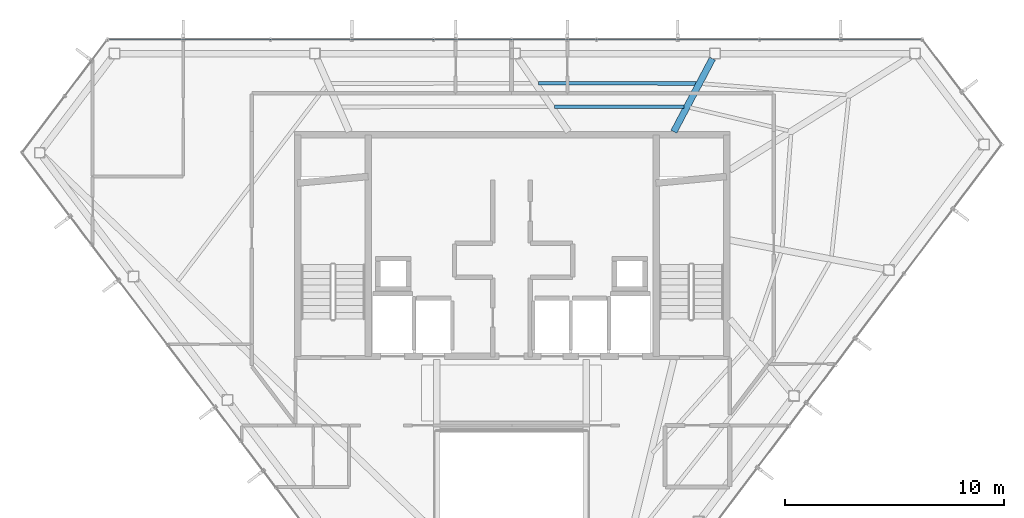
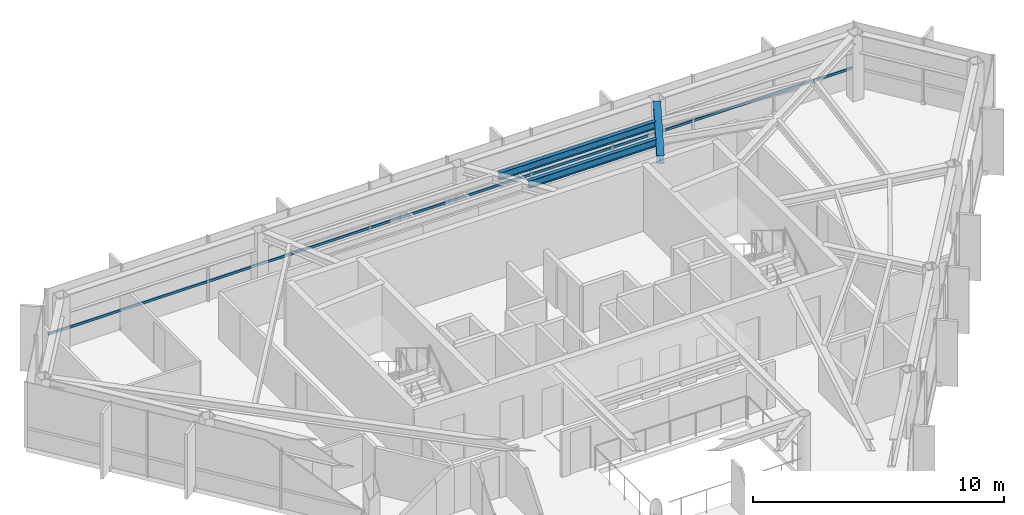
# One storey, part 13 of 24: 3 beams, 1 member, 1 element without a shape of its own.
"""IFC4 building model written with IfcOpenShell, lengths in metres."""

from ifc_helpers import new_model, si_unit, direction, frame, origin, origin_2d, place, context, subcontext, project, spatial, hollow_rectangle, i_section, extrude, material, layer, layer_set, material_profile, profile_set, type_object, element, aggregate, save


model = new_model("IFC4")

# Units and contexts
model_context = context("Model", 3, precision=1e-05, world=origin(), true_north=direction((0.0, 1.0)))
body_context = subcontext(model_context, "Body", "Model", "MODEL_VIEW")
ifc_project = project(units=[si_unit("LENGTHUNIT", "METRE"), si_unit("AREAUNIT", "SQUARE_METRE"), si_unit("VOLUMEUNIT", "CUBIC_METRE"), si_unit("PLANEANGLEUNIT", "RADIAN"), si_unit("MASSUNIT", "GRAM", prefix="KILO")], contexts=[model_context])

# Site, building, storey
site_placement = place(None, origin())
site = spatial("IfcSite", under=ifc_project, at=site_placement, CompositionType="ELEMENT")
building_placement = place(site_placement, origin())
building = spatial("IfcBuilding", under=site, at=building_placement, Name="Zarrinselat Tower", CompositionType="ELEMENT")
storey_placement = place(building_placement, frame((0.0, 0.0, 268.60009765625)))
storey = spatial("IfcBuildingStorey", under=building, at=storey_placement, Name="L68", CompositionType="ELEMENT", Elevation=268.60009765625)

# Beams
ifc_material_1 = material(Name="Steel S355J2", Category="steel")
ifc_material_profile_1 = material_profile(ifc_material_1, i_section(OverallWidth=0.300048828125, OverallDepth=0.39990234375, WebThickness=0.013427734375, FlangeThickness=0.02392578125, at=origin_2d()), Name="HEB 400")
ifc_profile_set_1 = profile_set([ifc_material_profile_1], Name="Steel S355J2")
beam_type_1 = type_object("IfcBeamType", Name="BM-HEB400", PredefinedType="BEAM", material=ifc_profile_set_1)
beam_1_placement = place(storey_placement, frame((45.800048828125, 43.5400390625, 2.97998046875), z_axis=(0.466849980871, 0.884336528343, 0.0), x_axis=(-0.884336528343, 0.466849980871, 0.0)))
element("IfcBeam", 1, at=beam_1_placement, inside=storey, type_object=beam_type_1, Name="L68 Radial Primary Girder RG02", PredefinedType="BEAM", context=body_context, shape_type="SweptSolid", body=[
    extrude(i_section(OverallWidth=0.300048828125, OverallDepth=0.39990234375, WebThickness=0.013427734375, FlangeThickness=0.02392578125, at=origin_2d()), origin(), (0.0, 0.0, 1.0), 3.773681640625),
])
ifc_material_2 = material(Name="Steel S355J2", Category="steel")
ifc_material_profile_2 = material_profile(ifc_material_2, i_section(OverallWidth=0.169921875, OverallDepth=0.360107421875, WebThickness=0.008056640625, FlangeThickness=0.0126953125, at=origin_2d()), Name="IPE 360")
ifc_profile_set_2 = profile_set([ifc_material_profile_2], Name="Steel S355J2")
beam_type_2 = type_object("IfcBeamType", Name="BM-IPE360", PredefinedType="JOIST", material=ifc_profile_set_2)
beam_2_placement = place(storey_placement, frame((39.62060546875, 45.752197265625, 3.0), z_axis=(0.999999126114, -0.001322032743, 0.0), x_axis=(0.001322032743, 0.999999126114, 0.0)))
element("IfcBeam", 2, at=beam_2_placement, inside=storey, type_object=beam_type_2, Name="L68 Composite Floor Joist 7-1", PredefinedType="JOIST", context=body_context, shape_type="SweptSolid", body=[
    extrude(i_section(OverallWidth=0.169921875, OverallDepth=0.360107421875, WebThickness=0.008056640625, FlangeThickness=0.0126953125, at=origin_2d()), origin(), (0.0, 0.0, 1.0), 7.2021484375),
])
beam_3_placement = place(storey_placement, frame((40.357421875, 44.6796875, 3.0), z_axis=(0.99999965773, -0.000827369096, 0.0), x_axis=(0.000827369096, 0.99999965773, 0.0)))
element("IfcBeam", 3, at=beam_3_placement, inside=storey, type_object=beam_type_2, Name="L68 Composite Floor Joist 7-2", PredefinedType="JOIST", context=body_context, shape_type="SweptSolid", body=[
    extrude(i_section(OverallWidth=0.169921875, OverallDepth=0.360107421875, WebThickness=0.008056640625, FlangeThickness=0.0126953125, at=origin_2d()), origin(), (0.0, 0.0, 1.0), 5.901611328125),
])

# Curtain wall, member
ifc_material_3 = material(Name="Extruded Aluminium Alloy EN AW-6063 T6", Category="aluminium")
ifc_layer = layer(ifc_material_3, 0.169921875)
ifc_layer_set = layer_set([ifc_layer], Name="Extruded Aluminium Alloy EN AW-6063 T6")
curtain_wall_type = type_object("IfcCurtainWallType", Name="CWS-RES", PredefinedType="NOTDEFINED", material=ifc_layer_set)
curtain_wall_placement = place(storey_placement, origin())
curtain_wall = element("IfcCurtainWall", 4, at=curtain_wall_placement, inside=storey, type_object=curtain_wall_type, Name="L68 Unitised Curtain Wall CW-L68-E01", PredefinedType="NOTDEFINED")
ifc_material_4 = material(Name="Extruded Aluminium Alloy EN AW-6063 T6", Category="aluminium")
ifc_material_profile_3 = material_profile(ifc_material_4, hollow_rectangle(XDim=0.06005859375, YDim=0.1201171875, WallThickness=0.00390625, at=origin_2d()), Name="RHS 120x60x4")
ifc_profile_set_3 = profile_set([ifc_material_profile_3], Name="Extruded Aluminium Alloy EN AW-6063 T6")
member_type = type_object("IfcMemberType", Name="MEM-CW-TRN2", PredefinedType="USERDEFINED", material=ifc_profile_set_3)
member_placement = place(storey_placement, frame((57.0361328125, 47.75, 0.949951171875), z_axis=(-1.0, 0.0, 0.0), x_axis=(0.0, -1.0, 0.0)))
member = element("IfcMember", 5, at=member_placement, type_object=member_type, Name="CW-L68-E01 Transom 1", ObjectType="TRANSOM", PredefinedType="USERDEFINED", context=body_context, shape_type="SweptSolid", body=[
    extrude(hollow_rectangle(XDim=0.06005859375, YDim=0.1201171875, WallThickness=0.00390625, at=origin_2d()), origin(), (0.0, 0.0, 1.0), 36.96240234375),
])
aggregate(curtain_wall, [member])

save(model, "model.ifc")
